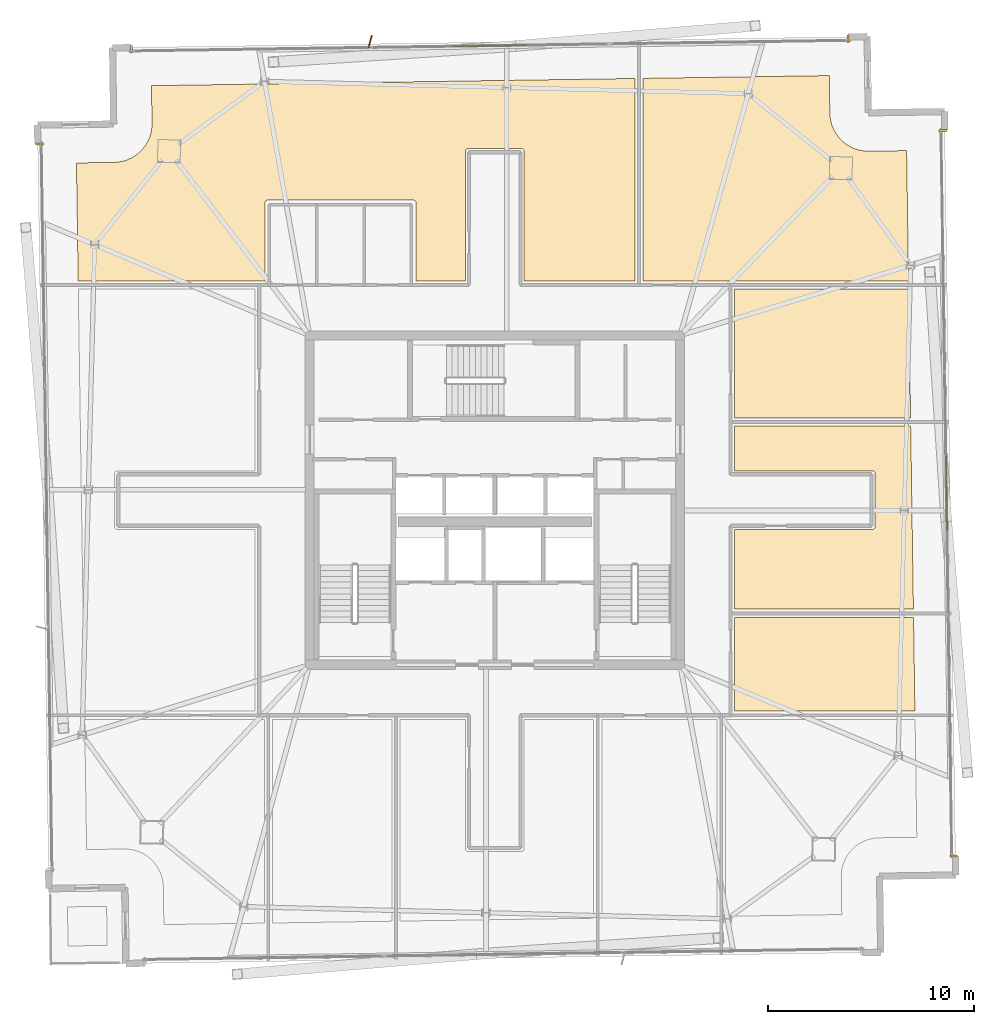
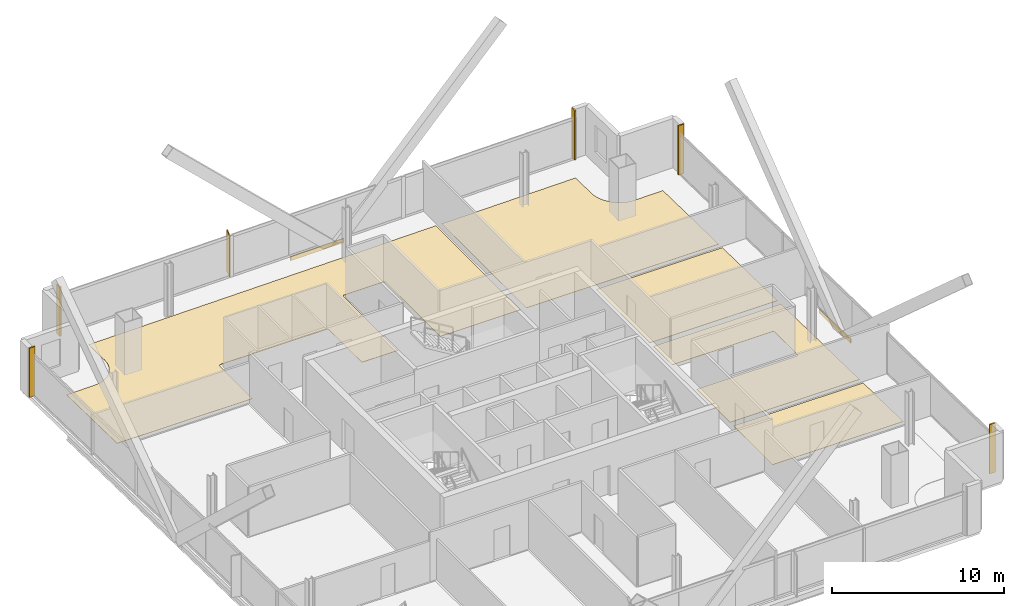
# One storey, part 25 of 25: 12 coverings, 1 shading device.
"""IFC4 building model written with IfcOpenShell, lengths in metres."""

from ifc_helpers import new_model, si_unit, direction, frame, origin, origin_2d, place, context, subcontext, project, spatial, polyline, rectangle, outline, extrude, source, transform, mapped, material, layer, layer_set, type_object, element, save


model = new_model("IFC4")

# Units and contexts
model_context = context("Model", 3, precision=1e-05, world=origin(), true_north=direction((0.0, 1.0)))
body_context = subcontext(model_context, "Body", "Model", "MODEL_VIEW")
ifc_project = project(units=[si_unit("LENGTHUNIT", "METRE"), si_unit("AREAUNIT", "SQUARE_METRE"), si_unit("VOLUMEUNIT", "CUBIC_METRE"), si_unit("PLANEANGLEUNIT", "RADIAN"), si_unit("MASSUNIT", "GRAM", prefix="KILO")], contexts=[model_context])

# Site, building, storey
site_placement = place(None, origin())
site = spatial("IfcSite", under=ifc_project, at=site_placement, CompositionType="ELEMENT")
building_placement = place(site_placement, origin())
building = spatial("IfcBuilding", under=site, at=building_placement, Name="Haldenkirk Collegiate Tower", CompositionType="ELEMENT")
storey_placement = place(building_placement, frame((0.0, 0.0, 332.699951171875)))
storey = spatial("IfcBuildingStorey", under=building, at=storey_placement, Name="L84", CompositionType="ELEMENT", Elevation=332.699951171875)

# Coverings
ifc_material_1 = material(Name="Polished collegiate terrazzo", Category="concrete")
ifc_layer_1 = layer(ifc_material_1, 0.02490234375)
ifc_layer_set_1 = layer_set([ifc_layer_1], Name="Polished collegiate terrazzo")
covering_type_1 = type_object("IfcCoveringType", Name="COV-FLOOR-TERRAZZO", PredefinedType="FLOORING", material=ifc_layer_set_1)
covering_1_placement = place(storey_placement, origin())
element("IfcCovering", 1, at=covering_1_placement, inside=storey, type_object=covering_type_1, Name="L84 academic room finish 06", PredefinedType="FLOORING", context=body_context, shape_type="SweptSolid", body=[
    extrude(outline(polyline([(17.504638671875, 42.407470703125), (17.510498046875, 42.40771484375), (17.681884765625, 42.418701171875), (17.693603515625, 42.419921875), (17.863037109375, 42.44775390625), (17.87451171875, 42.4501953125), (18.04052734375, 42.494384765625), (18.0517578125, 42.497802734375), (18.21240234375, 42.55810546875), (18.223388671875, 42.562744140625), (18.37744140625, 42.638427734375), (18.387939453125, 42.644287109375), (18.53369140625, 42.734619140625), (18.54345703125, 42.741455078125), (18.6796875, 42.845703125), (18.688720703125, 42.853515625), (18.814453125, 42.970703125), (18.822509765625, 42.97900390625), (18.93603515625, 43.10791015625), (18.943359375, 43.1171875), (19.04345703125, 43.256591796875), (19.0498046875, 43.266357421875), (19.135986328125, 43.4150390625), (19.141357421875, 43.425537109375), (19.21240234375, 43.581787109375), (19.216796875, 43.5927734375), (19.2724609375, 43.75537109375), (19.275634765625, 43.7666015625), (19.31494140625, 43.933837890625), (19.317138671875, 43.945556640625), (19.339599609375, 44.11572265625), (19.340576171875, 44.12744140625), (19.346435546875, 44.299072265625), (19.3466796875, 44.304931640625), (19.319580078125, 46.134765625), (42.800048828125, 46.483154296875), (42.800048828125, 36.64990234375), (37.419921875, 36.64990234375), (37.419921875, 42.949951171875), (37.41943359375, 42.9619140625), (37.417724609375, 42.973388671875), (37.414794921875, 42.98486328125), (37.410888671875, 42.995849609375), (37.40576171875, 43.006591796875), (37.39990234375, 43.0166015625), (37.392822265625, 43.026123046875), (37.385009765625, 43.034912109375), (37.376220703125, 43.042724609375), (37.36669921875, 43.0498046875), (37.356689453125, 43.055908203125), (37.345947265625, 43.060791015625), (37.334716796875, 43.064697265625), (37.323486328125, 43.067626953125), (37.311767578125, 43.0693359375), (37.300048828125, 43.070068359375), (34.699951171875, 43.070068359375), (34.688232421875, 43.0693359375), (34.676513671875, 43.067626953125), (34.665283203125, 43.064697265625), (34.654052734375, 43.060791015625), (34.643310546875, 43.055908203125), (34.63330078125, 43.0498046875), (34.623779296875, 43.042724609375), (34.614990234375, 43.034912109375), (34.607177734375, 43.026123046875), (34.60009765625, 43.0166015625), (34.59423828125, 43.006591796875), (34.589111328125, 42.995849609375), (34.585205078125, 42.98486328125), (34.582275390625, 42.973388671875), (34.58056640625, 42.9619140625), (34.580078125, 42.949951171875), (34.580078125, 36.64990234375), (32.169921875, 36.64990234375), (32.169921875, 40.449951171875), (32.16943359375, 40.4619140625), (32.167724609375, 40.473388671875), (32.164794921875, 40.48486328125), (32.160888671875, 40.495849609375), (32.15576171875, 40.506591796875), (32.14990234375, 40.5166015625), (32.142822265625, 40.526123046875), (32.135009765625, 40.534912109375), (32.126220703125, 40.542724609375), (32.11669921875, 40.5498046875), (32.106689453125, 40.555908203125), (32.095947265625, 40.560791015625), (32.084716796875, 40.564697265625), (32.073486328125, 40.567626953125), (32.061767578125, 40.5693359375), (32.050048828125, 40.570068359375), (24.949951171875, 40.570068359375), (24.938232421875, 40.5693359375), (24.926513671875, 40.567626953125), (24.915283203125, 40.564697265625), (24.904052734375, 40.560791015625), (24.893310546875, 40.555908203125), (24.88330078125, 40.5498046875), (24.873779296875, 40.542724609375), (24.864990234375, 40.534912109375), (24.857177734375, 40.526123046875), (24.85009765625, 40.5166015625), (24.84423828125, 40.506591796875), (24.839111328125, 40.495849609375), (24.835205078125, 40.48486328125), (24.832275390625, 40.473388671875), (24.83056640625, 40.4619140625), (24.830078125, 40.449951171875), (24.830078125, 36.64990234375), (15.759765625, 36.64990234375), (15.6748046875, 42.38037109375), (17.504638671875, 42.407470703125)])), origin(), (0.0, 0.0, 1.0), 0.025146484375),
])
covering_2_placement = place(storey_placement, origin())
element("IfcCovering", 2, at=covering_2_placement, inside=storey, type_object=covering_type_1, Name="L84 academic room finish 10", PredefinedType="FLOORING", context=body_context, shape_type="SweptSolid", body=[
    extrude(outline(polyline([(54.35009765625, 24.580078125), (54.36181640625, 24.58056640625), (54.373291015625, 24.582275390625), (54.384765625, 24.585205078125), (54.39599609375, 24.589111328125), (54.406494140625, 24.59423828125), (54.416748046875, 24.60009765625), (54.426025390625, 24.607177734375), (54.434814453125, 24.614990234375), (54.44287109375, 24.623779296875), (54.44970703125, 24.63330078125), (54.455810546875, 24.643310546875), (54.4609375, 24.654052734375), (54.46484375, 24.665283203125), (54.4677734375, 24.676513671875), (54.469482421875, 24.688232421875), (54.469970703125, 24.699951171875), (54.469970703125, 27.300048828125), (54.469482421875, 27.311767578125), (54.4677734375, 27.323486328125), (54.46484375, 27.334716796875), (54.4609375, 27.345947265625), (54.455810546875, 27.356689453125), (54.44970703125, 27.36669921875), (54.44287109375, 27.376220703125), (54.434814453125, 27.385009765625), (54.426025390625, 27.392822265625), (54.416748046875, 27.39990234375), (54.406494140625, 27.40576171875), (54.39599609375, 27.410888671875), (54.384765625, 27.414794921875), (54.373291015625, 27.417724609375), (54.36181640625, 27.41943359375), (54.35009765625, 27.419921875), (47.64990234375, 27.419921875), (47.64990234375, 29.60009765625), (56.203857421875, 29.60009765625), (56.3359375, 20.699951171875), (47.64990234375, 20.699951171875), (47.64990234375, 24.580078125), (54.35009765625, 24.580078125)])), origin(), (0.0, 0.0, 1.0), 0.025146484375),
])
ifc_material_2 = material(Name="Engineered collegiate oak acoustic flooring", Category="wood")
ifc_layer_2 = layer(ifc_material_2, 0.02197265625)
ifc_layer_set_2 = layer_set([ifc_layer_2], Name="Engineered collegiate oak acoustic flooring")
covering_type_2 = type_object("IfcCoveringType", Name="COV-FLOOR-TIMBER", PredefinedType="FLOORING", material=ifc_layer_set_2)
covering_3_placement = place(storey_placement, origin())
element("IfcCovering", 3, at=covering_3_placement, inside=storey, type_object=covering_type_2, Name="L84 academic room finish 07", PredefinedType="FLOORING", context=body_context, shape_type="SweptSolid", body=[
    extrude(outline(polyline([(52.2509765625, 46.623291015625), (52.278076171875, 44.79345703125), (52.2783203125, 44.78759765625), (52.289306640625, 44.6162109375), (52.29052734375, 44.6044921875), (52.318359375, 44.43505859375), (52.32080078125, 44.423583984375), (52.364990234375, 44.257568359375), (52.368408203125, 44.246337890625), (52.4287109375, 44.085693359375), (52.433349609375, 44.07470703125), (52.509033203125, 43.920654296875), (52.514892578125, 43.91015625), (52.605224609375, 43.764404296875), (52.612060546875, 43.754638671875), (52.71630859375, 43.618408203125), (52.72412109375, 43.609375), (52.84130859375, 43.483642578125), (52.849609375, 43.4755859375), (52.978515625, 43.362060546875), (52.98779296875, 43.354736328125), (53.127197265625, 43.254638671875), (53.136962890625, 43.248291015625), (53.28564453125, 43.162109375), (53.296142578125, 43.15673828125), (53.452392578125, 43.085693359375), (53.46337890625, 43.081298828125), (53.6259765625, 43.025634765625), (53.63720703125, 43.0224609375), (53.804443359375, 42.983154296875), (53.816162109375, 42.98095703125), (53.986328125, 42.95849609375), (53.998046875, 42.95751953125), (54.169677734375, 42.95166015625), (54.175537109375, 42.951416015625), (56.00537109375, 42.978515625), (56.09912109375, 36.64990234375), (43.199951171875, 36.64990234375), (43.199951171875, 46.489013671875), (52.2509765625, 46.623291015625)])), origin(), (0.0, 0.0, 1.0), 0.02197265625),
])
covering_4_placement = place(storey_placement, origin())
element("IfcCovering", 4, at=covering_4_placement, inside=storey, type_object=covering_type_2, Name="L84 academic room finish 09", PredefinedType="FLOORING", context=body_context, shape_type="SweptSolid", body=[
    extrude(outline(polyline([(56.4091796875, 15.75), (47.64990234375, 15.75), (47.64990234375, 20.300048828125), (56.341796875, 20.300048828125), (56.4091796875, 15.75)])), origin(), (0.0, 0.0, 1.0), 0.02197265625),
])
covering_5_placement = place(storey_placement, origin())
element("IfcCovering", 5, at=covering_5_placement, inside=storey, type_object=covering_type_2, Name="L84 academic room finish 11", PredefinedType="FLOORING", context=body_context, shape_type="SweptSolid", body=[
    extrude(outline(polyline([(56.197998046875, 30.0), (47.64990234375, 30.0), (47.64990234375, 36.25), (56.105224609375, 36.25), (56.197998046875, 30.0)])), origin(), (0.0, 0.0, 1.0), 0.02197265625),
])
ifc_material_3 = material(Name="Anodised architectural bronze aluminium", Category="aluminium")
ifc_layer_3 = layer(ifc_material_3, 0.06005859375)
ifc_layer_set_3 = layer_set([ifc_layer_3], Name="Anodised architectural bronze aluminium")
covering_type_3 = type_object("IfcCoveringType", Name="COV-CLAD-BRONZE-60", PredefinedType="CLADDING", material=ifc_layer_set_3)
shared_shape_1 = source(origin(), body_context, "Body", "SweptSolid", [
    extrude(rectangle(XDim=3.60009765625, YDim=0.06005859375, at=origin_2d()), origin(), (0.0, 0.0, 1.0), 0.300048828125),
])
for number, where, z_axis, x_axis, name in (
    (6, (57.942626953125, 26.325439453125, -0.2998046875), (0.0, 0.0, 1.0), (0.014834754474, -0.999889958975, 0.0), "L84 architectural bronze spandrel cladding S"),
    (7, (35.760009765625, 48.06884765625, -0.2998046875), (0.0, 0.0, 1.0), (0.999889958975, 0.014834754474, 0.0), "L84 architectural bronze spandrel cladding E"),
):
    element("IfcCovering", number, at=place(storey_placement, frame(where, z_axis=z_axis, x_axis=x_axis)), inside=storey, type_object=covering_type_3, Name=name, PredefinedType="CLADDING", context=body_context, shape_type="MappedRepresentation", body=[
        mapped(shared_shape_1, transform((0.0, 0.0, 0.0), x_axis=(1.0, 0.0, 0.0), y_axis=(0.0, 1.0, 0.0), z_axis=(0.0, 0.0, 1.0), scale=1.0)),
    ])
shared_shape_2 = source(origin(), body_context, "Body", "SweptSolid", [
    extrude(rectangle(XDim=0.10009765625, YDim=0.3798828125, at=origin_2d()), origin(), (0.0, 0.0, 1.0), 3.489990234375),
])
for number, where, z_axis, x_axis, name in (
    (8, (57.771240234375, 43.945068359375, 0.0), (0.0, 0.0, 1.0), (0.014834754474, -0.999889958975, 0.0), "L84 recessed curtain-wall bronze jamb closure SJL"),
    (9, (58.2939453125, 8.708984375, 0.0), (0.0, 0.0, 1.0), (0.014834754474, -0.999889958975, 0.0), "L84 recessed curtain-wall bronze jamb closure SJR"),
    (10, (18.35302734375, 47.900634765625, 0.0), (0.0, 0.0, 1.0), (0.999889958975, 0.014834754474, 0.0), "L84 recessed curtain-wall bronze jamb closure EJL"),
    (11, (53.164306640625, 48.4169921875, 0.0), (0.0, 0.0, 1.0), (0.999889958975, 0.014834754474, 0.0), "L84 recessed curtain-wall bronze jamb closure EJR"),
    (12, (13.881103515625, 43.293701171875, 0.0), (0.0, 0.0, 1.0), (-0.014834754474, 0.999889958975, 0.0), "L84 recessed curtain-wall bronze jamb closure NJR"),
):
    element("IfcCovering", number, at=place(storey_placement, frame(where, z_axis=z_axis, x_axis=x_axis)), inside=storey, type_object=covering_type_3, Name=name, PredefinedType="CLADDING", context=body_context, shape_type="MappedRepresentation", body=[
        mapped(shared_shape_2, transform((0.0, 0.0, 0.0), x_axis=(1.0, 0.0, 0.0), y_axis=(0.0, 1.0, 0.0), z_axis=(0.0, 0.0, 1.0), scale=1.0)),
    ])

# Shading device
ifc_layer_4 = layer(ifc_material_3, 0.06494140625)
ifc_layer_set_4 = layer_set([ifc_layer_4], Name="Anodised architectural bronze aluminium")
shading_device_type = type_object("IfcShadingDeviceType", Name="SHD-FIN-BRONZE-620", PredefinedType="USERDEFINED", material=ifc_layer_set_4)
shared_shape_3 = source(origin(), body_context, "Body", "SweptSolid", [
    extrude(rectangle(XDim=0.6201171875, YDim=0.06494140625, at=origin_2d()), origin(), (0.0, 0.0, 1.0), 2.947998046875),
])
shading_device_placement = place(storey_placement, frame((29.94384765625, 48.277587890625, 0.0), z_axis=(0.0, 0.0, 1.0), x_axis=(0.261346943155, 0.965244930214, 0.0)))
element("IfcShadingDevice", 13, at=shading_device_placement, inside=storey, type_object=shading_device_type, Name="L84 folded bronze solar fin 1", ObjectType="FIN", PredefinedType="USERDEFINED", context=body_context, shape_type="MappedRepresentation", body=[
    mapped(shared_shape_3, transform((0.0, 0.0, 0.0), x_axis=(1.0, 0.0, 0.0), y_axis=(0.0, 1.0, 0.0), z_axis=(0.0, 0.0, 1.0), scale=1.0)),
])

save(model, "model.ifc")
